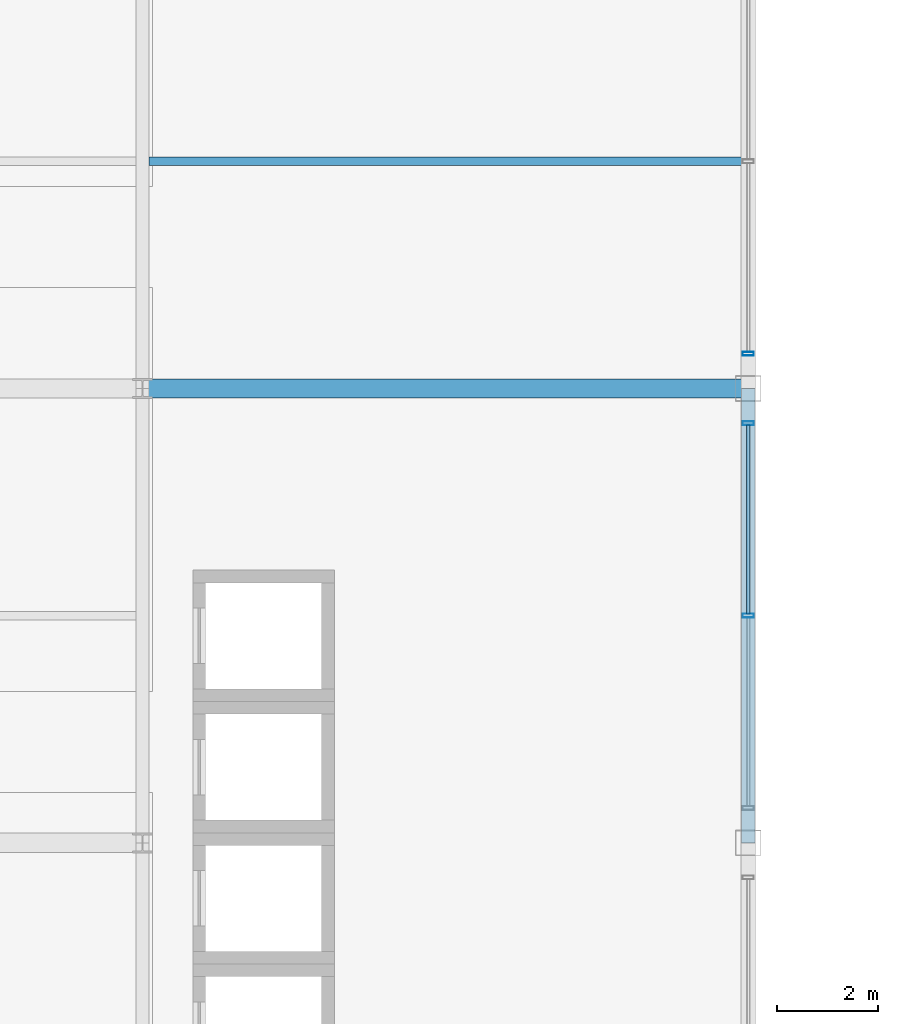
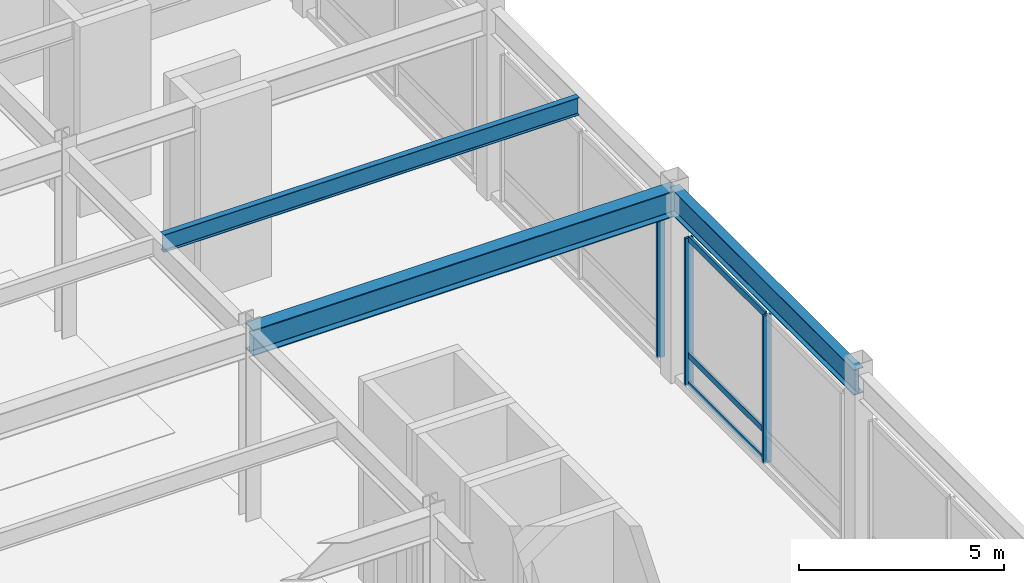
# One storey, part 49 of 105: 6 members, 3 beams, 2 elements without a shape of their own.
"""IFC4 building model written with IfcOpenShell, lengths in metres."""

from ifc_helpers import new_model, si_unit, direction, frame, origin, origin_2d, place, context, subcontext, project, spatial, hollow_rectangle, i_section, extrude, material, material_profile, profile_set, type_object, element, aggregate, save


model = new_model("IFC4")

# Units and contexts
model_context = context("Model", 3, precision=1e-05, world=origin(), true_north=direction((0.0, 1.0)))
body_context = subcontext(model_context, "Body", "Model", "MODEL_VIEW")
ifc_project = project(units=[si_unit("LENGTHUNIT", "METRE"), si_unit("AREAUNIT", "SQUARE_METRE"), si_unit("VOLUMEUNIT", "CUBIC_METRE"), si_unit("PLANEANGLEUNIT", "RADIAN"), si_unit("MASSUNIT", "GRAM", prefix="KILO")], contexts=[model_context])

# Site, building, storey
site_placement = place(None, origin())
site = spatial("IfcSite", under=ifc_project, at=site_placement, CompositionType="ELEMENT")
building_placement = place(site_placement, origin())
building = spatial("IfcBuilding", under=site, at=building_placement, Name="Kaldorvane Square Convention Centre", CompositionType="ELEMENT")
storey_placement = place(building_placement, frame((0.0, 0.0, 6.0)))
storey = spatial("IfcBuildingStorey", under=building, at=storey_placement, Name="L01", CompositionType="ELEMENT", Elevation=6.0)

# Beams
ifc_material_1 = material(Name="Steel ASTM A992 Gr. 50", Category="steel")
ifc_material_profile_1 = material_profile(ifc_material_1, i_section(OverallWidth=0.2666015625, OverallDepth=0.762298583984375, WebThickness=0.014404296875, FlangeThickness=0.0216064453125, FilletRadius=0.0164947509765625, at=origin_2d()), Name="W30X116")
ifc_profile_set_1 = profile_set([ifc_material_profile_1], Name="Steel ASTM A992 Gr. 50")
beam_type_1 = type_object("IfcBeamType", Name="BM-GR-W30X116", PredefinedType="BEAM", material=ifc_profile_set_1)
beam_1_placement = place(storey_placement, frame((138.0, 45.0, 5.2949066162109375), z_axis=(0.0, 1.0, 0.0), x_axis=(-1.0, 0.0, 0.0)))
element("IfcBeam", 1, at=beam_1_placement, inside=storey, type_object=beam_type_1, Name="Transverse Girder (L01)", PredefinedType="BEAM", context=body_context, shape_type="SweptSolid", body=[
    extrude(i_section(OverallWidth=0.2666015625, OverallDepth=0.762298583984375, WebThickness=0.014404296875, FlangeThickness=0.0216064453125, FilletRadius=0.0164947509765625, at=origin_2d()), origin(), (0.0, 0.0, 1.0), 9.0),
])
ifc_material_profile_2 = material_profile(ifc_material_1, i_section(OverallWidth=0.380706787109375, OverallDepth=0.773193359375, WebThickness=0.0166015625, FlangeThickness=0.027099609375, FilletRadius=0.0164947509765625, at=origin_2d()), Name="W30X173")
ifc_profile_set_2 = profile_set([ifc_material_profile_2], Name="Steel ASTM A992 Gr. 50")
beam_type_2 = type_object("IfcBeamType", Name="BM-GR-W30X173", PredefinedType="BEAM", material=ifc_profile_set_2)
beam_2_placement = place(storey_placement, frame((126.0, 54.0, 5.289398193359375), z_axis=(1.0, 0.0, 0.0), x_axis=(0.0, 1.0, 0.0)))
element("IfcBeam", 2, at=beam_2_placement, inside=storey, type_object=beam_type_2, Name="Primary Girder (L01)", PredefinedType="BEAM", context=body_context, shape_type="SweptSolid", body=[
    extrude(i_section(OverallWidth=0.380706787109375, OverallDepth=0.773193359375, WebThickness=0.0166015625, FlangeThickness=0.027099609375, FilletRadius=0.0164947509765625, at=origin_2d()), origin(), (0.0, 0.0, 1.0), 12.0),
])
ifc_material_profile_3 = material_profile(ifc_material_1, i_section(OverallWidth=0.1658935546875, OverallDepth=0.5290985107421875, WebThickness=0.00970458984375, FlangeThickness=0.0135955810546875, FilletRadius=0.0126953125, at=origin_2d()), Name="W21X50")
ifc_profile_set_3 = profile_set([ifc_material_profile_3], Name="Steel ASTM A992 Gr. 50")
beam_type_3 = type_object("IfcBeamType", Name="BM-JS-W21X50", PredefinedType="JOIST", material=ifc_profile_set_3)
beam_3_placement = place(storey_placement, frame((126.13330078125, 58.5, 5.4114990234375), z_axis=(1.0, 0.0, 0.0), x_axis=(0.0, 1.0, 0.0)))
element("IfcBeam", 3, at=beam_3_placement, inside=storey, type_object=beam_type_3, Name="Secondary Floor Joist (L01)", PredefinedType="JOIST", context=body_context, shape_type="SweptSolid", body=[
    extrude(i_section(OverallWidth=0.1658935546875, OverallDepth=0.5290985107421875, WebThickness=0.00970458984375, FlangeThickness=0.0135955810546875, FilletRadius=0.0126953125, at=origin_2d()), origin(), (0.0, 0.0, 1.0), 11.7333984375),
])

# Curtain wall, members
ifc_material_2 = material(Name="Anodized Aluminum and Low-E Insulated Glazing", Category="aluminium")
curtain_wall_type = type_object("IfcCurtainWallType", Name="CW-PTS-FC-60", PredefinedType="USERDEFINED", material=ifc_material_2)
curtain_wall_1_placement = place(storey_placement, origin())
curtain_wall_1 = element("IfcCurtainWall", 4, at=curtain_wall_1_placement, inside=storey, type_object=curtain_wall_type, Name="Curtain Wall CW-07 (L01)", ObjectType="POINT SUPPORTED GLAZING", PredefinedType="USERDEFINED")
ifc_material_profile_4 = material_profile(ifc_material_2, hollow_rectangle(XDim=0.0749969482421875, YDim=0.220001220703125, WallThickness=0.003997802734375, at=origin_2d()), Name="CWM-220X75")
ifc_profile_set_4 = profile_set([ifc_material_profile_4], Name="Anodized Aluminum and Low-E Insulated Glazing")
member_type_1 = type_object("IfcMemberType", Name="CW-MUL-220", PredefinedType="MULLION", material=ifc_profile_set_4)
member_1_placement = place(storey_placement, frame((138.0, 49.5, 0.149993896484375), z_axis=(0.0, 0.0, 1.0), x_axis=(0.0, 1.0, 0.0)))
member_1 = element("IfcMember", 5, at=member_1_placement, type_object=member_type_1, Name="CW-07 mullion 2", PredefinedType="MULLION", context=body_context, shape_type="SweptSolid", body=[
    extrude(hollow_rectangle(XDim=0.0749969482421875, YDim=0.220001220703125, WallThickness=0.003997802734375, at=origin_2d()), origin(), (0.0, 0.0, 1.0), 4.410003662109375),
])
member_2_placement = place(storey_placement, frame((138.0, 53.3125, 0.149993896484375), z_axis=(0.0, 0.0, 1.0), x_axis=(0.0, 1.0, 0.0)))
member_2 = element("IfcMember", 6, at=member_2_placement, type_object=member_type_1, Name="CW-07 mullion 3", PredefinedType="MULLION", context=body_context, shape_type="SweptSolid", body=[
    extrude(hollow_rectangle(XDim=0.0749969482421875, YDim=0.220001220703125, WallThickness=0.003997802734375, at=origin_2d()), origin(), (0.0, 0.0, 1.0), 4.410003662109375),
])

# Curtain wall, member
curtain_wall_2_placement = place(storey_placement, origin())
curtain_wall_2 = element("IfcCurtainWall", 7, at=curtain_wall_2_placement, inside=storey, type_object=curtain_wall_type, Name="Curtain Wall CW-07 (L01)", ObjectType="POINT SUPPORTED GLAZING", PredefinedType="USERDEFINED")
member_3_placement = place(storey_placement, frame((138.0, 54.6875, 0.149993896484375), z_axis=(0.0, 0.0, 1.0), x_axis=(0.0, 1.0, 0.0)))
member_3 = element("IfcMember", 8, at=member_3_placement, type_object=member_type_1, Name="CW-07 mullion 1", PredefinedType="MULLION", context=body_context, shape_type="SweptSolid", body=[
    extrude(hollow_rectangle(XDim=0.0749969482421875, YDim=0.220001220703125, WallThickness=0.003997802734375, at=origin_2d()), origin(), (0.0, 0.0, 1.0), 4.410003662109375),
])
aggregate(curtain_wall_2, [member_3])

# Member
ifc_material_profile_5 = material_profile(ifc_material_2, hollow_rectangle(XDim=0.06500244140625, YDim=0.17999267578125, WallThickness=0.0034942626953125, at=origin_2d()), Name="CWT-180X65")
ifc_profile_set_5 = profile_set([ifc_material_profile_5], Name="Anodized Aluminum and Low-E Insulated Glazing")
member_type_2 = type_object("IfcMemberType", Name="CW-TRN-180", PredefinedType="USERDEFINED", material=ifc_profile_set_5)
member_4_placement = place(storey_placement, frame((138.0, 49.537506103515625, 0.1824951171875), z_axis=(0.0, 1.0, 0.0), x_axis=(-1.0, 0.0, 0.0)))
member_4 = element("IfcMember", 9, at=member_4_placement, type_object=member_type_2, Name="CW-07 transom 2.1", ObjectType="TRANSOM", PredefinedType="USERDEFINED", context=body_context, shape_type="SweptSolid", body=[
    extrude(hollow_rectangle(XDim=0.06500244140625, YDim=0.17999267578125, WallThickness=0.0034942626953125, at=origin_2d()), origin(), (0.0, 0.0, 1.0), 3.73748779296875),
])

member_5_placement = place(storey_placement, frame((138.0, 49.537506103515625, 1.0500030517578125), z_axis=(0.0, 1.0, 0.0), x_axis=(-1.0, 0.0, 0.0)))
member_5 = element("IfcMember", 10, at=member_5_placement, type_object=member_type_2, Name="CW-07 transom 2.2", ObjectType="TRANSOM", PredefinedType="USERDEFINED", context=body_context, shape_type="SweptSolid", body=[
    extrude(hollow_rectangle(XDim=0.06500244140625, YDim=0.17999267578125, WallThickness=0.0034942626953125, at=origin_2d()), origin(), (0.0, 0.0, 1.0), 3.73748779296875),
])

member_6_placement = place(storey_placement, frame((138.0, 49.537506103515625, 4.527496337890625), z_axis=(0.0, 1.0, 0.0), x_axis=(-1.0, 0.0, 0.0)))
member_6 = element("IfcMember", 11, at=member_6_placement, type_object=member_type_2, Name="CW-07 transom 2.3", ObjectType="TRANSOM", PredefinedType="USERDEFINED", context=body_context, shape_type="SweptSolid", body=[
    extrude(hollow_rectangle(XDim=0.06500244140625, YDim=0.17999267578125, WallThickness=0.0034942626953125, at=origin_2d()), origin(), (0.0, 0.0, 1.0), 3.73748779296875),
])

aggregate(curtain_wall_1, [member_1, member_2, member_4, member_5, member_6])

save(model, "model.ifc")
